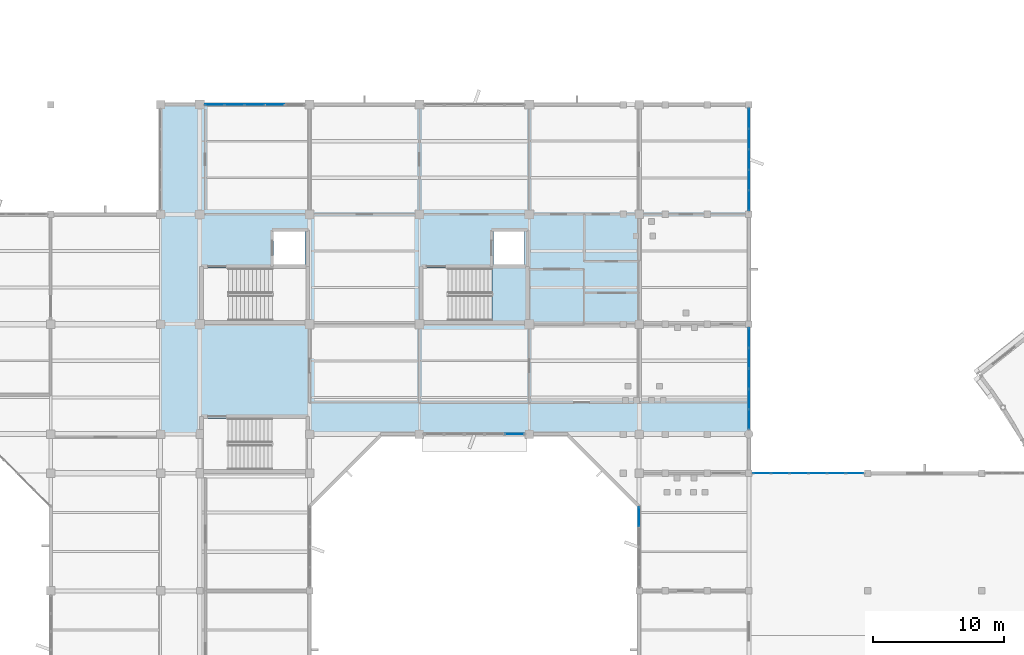
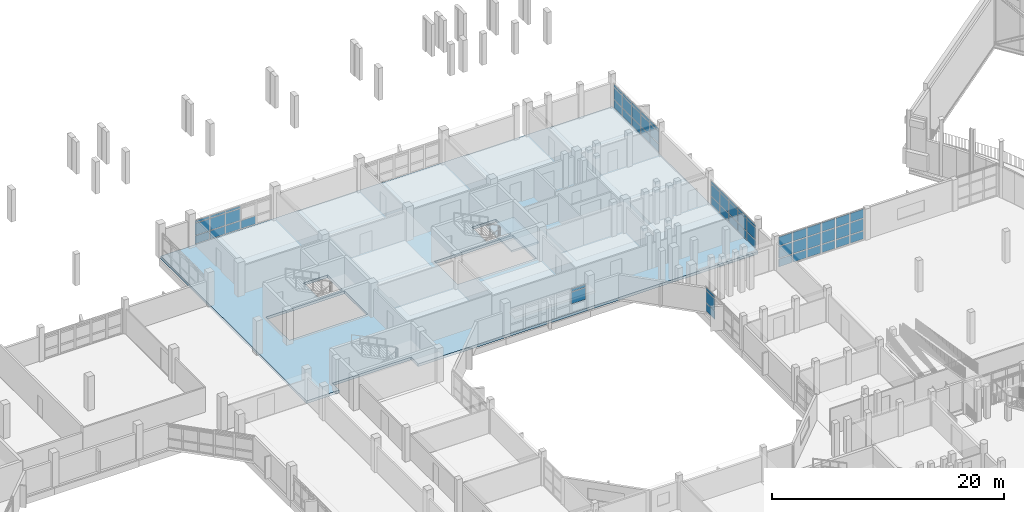
# One storey, part 62 of 104: 63 plates, 2 slabs, 7 elements without a shape of their own.
"""IFC4 building model written with IfcOpenShell, lengths in metres."""

from ifc_helpers import new_model, si_unit, direction, frame, origin, origin_2d, place, context, subcontext, project, spatial, polyline, rectangle, outline, extrude, material, layer, layer_set, type_object, element, aggregate, save


model = new_model("IFC4")

# Units and contexts
model_context = context("Model", 3, precision=1e-05, world=origin(), true_north=direction((0.0, 1.0)))
body_context = subcontext(model_context, "Body", "Model", "MODEL_VIEW")
ifc_project = project(units=[si_unit("LENGTHUNIT", "METRE"), si_unit("AREAUNIT", "SQUARE_METRE"), si_unit("VOLUMEUNIT", "CUBIC_METRE"), si_unit("PLANEANGLEUNIT", "RADIAN"), si_unit("MASSUNIT", "GRAM", prefix="KILO")], contexts=[model_context])

# Site, building, storey
site_placement = place(None, origin())
site = spatial("IfcSite", under=ifc_project, at=site_placement, CompositionType="ELEMENT")
building_placement = place(site_placement, origin())
building = spatial("IfcBuilding", under=site, at=building_placement, Name="Vanh Quang Courtyard School", CompositionType="ELEMENT")
storey_placement = place(building_placement, frame((0.0, 0.0, 4.199951171875)))
storey = spatial("IfcBuildingStorey", under=building, at=storey_placement, Name="L01", CompositionType="ELEMENT", Elevation=4.199951171875)

# Curtain wall, plates
ifc_material_1 = material(Name="Thermally broken aluminium unitised curtain wall", Category="aluminium")
curtain_wall_type_1 = type_object("IfcCurtainWallType", Name="CW-SYS-21", PredefinedType="NOTDEFINED", material=ifc_material_1)
curtain_wall_1_placement = place(storey_placement, origin())
curtain_wall_1 = element("IfcCurtainWall", 1, at=curtain_wall_1_placement, inside=storey, type_object=curtain_wall_type_1, Name="Curtain Wall CW-21 (L01)", PredefinedType="NOTDEFINED")
ifc_material_2 = material(Name="Low-E laminated double glazing", Category="glass")
ifc_layer_1 = layer(ifc_material_2, 0.028076171875)
ifc_layer_set_1 = layer_set([ifc_layer_1], Name="Low-E laminated double glazing")
plate_type_1 = type_object("IfcPlateType", Name="CW-PNL-28", PredefinedType="CURTAIN_PANEL", material=ifc_layer_set_1)
plate_1_placement = place(storey_placement, frame((78.5439453125, 96.60009765625, 0.06982421875), z_axis=(0.0, 0.0, 1.0), x_axis=(1.0, 0.0, 0.0)))
plate_1 = element("IfcPlate", 2, at=plate_1_placement, type_object=plate_type_1, Name="CW-21 panel 1.1", PredefinedType="CURTAIN_PANEL", context=body_context, shape_type="SweptSolid", body=[
    extrude(rectangle(XDim=1.431884765625, YDim=0.028076171875, at=origin_2d()), origin(), (0.0, 0.0, 1.0), 0.844970703125),
])
plate_2_placement = place(storey_placement, frame((78.5439453125, 96.60009765625, 0.985107421875), z_axis=(0.0, 0.0, 1.0), x_axis=(1.0, 0.0, 0.0)))
plate_2 = element("IfcPlate", 3, at=plate_2_placement, type_object=plate_type_1, Name="CW-21 panel 1.2", PredefinedType="CURTAIN_PANEL", context=body_context, shape_type="SweptSolid", body=[
    extrude(rectangle(XDim=1.431884765625, YDim=0.028076171875, at=origin_2d()), origin(), (0.0, 0.0, 1.0), 1.22998046875),
])
plate_3_placement = place(storey_placement, frame((78.5439453125, 96.60009765625, 2.28515625), z_axis=(0.0, 0.0, 1.0), x_axis=(1.0, 0.0, 0.0)))
plate_3 = element("IfcPlate", 4, at=plate_3_placement, type_object=plate_type_1, Name="CW-21 panel 1.3", PredefinedType="CURTAIN_PANEL", context=body_context, shape_type="SweptSolid", body=[
    extrude(rectangle(XDim=1.431884765625, YDim=0.028076171875, at=origin_2d()), origin(), (0.0, 0.0, 1.0), 0.215087890625),
])
plate_4_placement = place(storey_placement, frame((80.063232421875, 96.60009765625, 0.06982421875), z_axis=(0.0, 0.0, 1.0), x_axis=(1.0, 0.0, 0.0)))
plate_4 = element("IfcPlate", 5, at=plate_4_placement, type_object=plate_type_1, Name="CW-21 panel 2.1", PredefinedType="CURTAIN_PANEL", context=body_context, shape_type="SweptSolid", body=[
    extrude(rectangle(XDim=1.466796875, YDim=0.028076171875, at=origin_2d()), origin(), (0.0, 0.0, 1.0), 0.844970703125),
])
plate_5_placement = place(storey_placement, frame((80.063232421875, 96.60009765625, 0.985107421875), z_axis=(0.0, 0.0, 1.0), x_axis=(1.0, 0.0, 0.0)))
plate_5 = element("IfcPlate", 6, at=plate_5_placement, type_object=plate_type_1, Name="CW-21 panel 2.2", PredefinedType="CURTAIN_PANEL", context=body_context, shape_type="SweptSolid", body=[
    extrude(rectangle(XDim=1.466796875, YDim=0.028076171875, at=origin_2d()), origin(), (0.0, 0.0, 1.0), 1.22998046875),
])
plate_6_placement = place(storey_placement, frame((80.063232421875, 96.60009765625, 2.28515625), z_axis=(0.0, 0.0, 1.0), x_axis=(1.0, 0.0, 0.0)))
plate_6 = element("IfcPlate", 7, at=plate_6_placement, type_object=plate_type_1, Name="CW-21 panel 2.3", PredefinedType="CURTAIN_PANEL", context=body_context, shape_type="SweptSolid", body=[
    extrude(rectangle(XDim=1.466796875, YDim=0.028076171875, at=origin_2d()), origin(), (0.0, 0.0, 1.0), 0.215087890625),
])
plate_7_placement = place(storey_placement, frame((81.60009765625, 96.60009765625, 0.06982421875), z_axis=(0.0, 0.0, 1.0), x_axis=(1.0, 0.0, 0.0)))
plate_7 = element("IfcPlate", 8, at=plate_7_placement, type_object=plate_type_1, Name="CW-21 panel 3.1", PredefinedType="CURTAIN_PANEL", context=body_context, shape_type="SweptSolid", body=[
    extrude(rectangle(XDim=1.466796875, YDim=0.028076171875, at=origin_2d()), origin(), (0.0, 0.0, 1.0), 0.844970703125),
])
plate_8_placement = place(storey_placement, frame((81.60009765625, 96.60009765625, 0.985107421875), z_axis=(0.0, 0.0, 1.0), x_axis=(1.0, 0.0, 0.0)))
plate_8 = element("IfcPlate", 9, at=plate_8_placement, type_object=plate_type_1, Name="CW-21 panel 3.2", PredefinedType="CURTAIN_PANEL", context=body_context, shape_type="SweptSolid", body=[
    extrude(rectangle(XDim=1.466796875, YDim=0.028076171875, at=origin_2d()), origin(), (0.0, 0.0, 1.0), 1.22998046875),
])
plate_9_placement = place(storey_placement, frame((81.60009765625, 96.60009765625, 2.28515625), z_axis=(0.0, 0.0, 1.0), x_axis=(1.0, 0.0, 0.0)))
plate_9 = element("IfcPlate", 10, at=plate_9_placement, type_object=plate_type_1, Name="CW-21 panel 3.3", PredefinedType="CURTAIN_PANEL", context=body_context, shape_type="SweptSolid", body=[
    extrude(rectangle(XDim=1.466796875, YDim=0.028076171875, at=origin_2d()), origin(), (0.0, 0.0, 1.0), 0.215087890625),
])
plate_10_placement = place(storey_placement, frame((83.13671875, 96.60009765625, 0.06982421875), z_axis=(0.0, 0.0, 1.0), x_axis=(1.0, 0.0, 0.0)))
plate_10 = element("IfcPlate", 11, at=plate_10_placement, type_object=plate_type_1, Name="CW-21 panel 4.1", PredefinedType="CURTAIN_PANEL", context=body_context, shape_type="SweptSolid", body=[
    extrude(rectangle(XDim=1.466796875, YDim=0.028076171875, at=origin_2d()), origin(), (0.0, 0.0, 1.0), 0.844970703125),
])
aggregate(curtain_wall_1, [plate_1, plate_2, plate_3, plate_4, plate_5, plate_6, plate_7, plate_8, plate_9, plate_10])

curtain_wall_type_2 = type_object("IfcCurtainWallType", Name="CW-SYS-19", PredefinedType="NOTDEFINED", material=ifc_material_1)
curtain_wall_2_placement = place(storey_placement, origin())
curtain_wall_2 = element("IfcCurtainWall", 12, at=curtain_wall_2_placement, inside=storey, type_object=curtain_wall_type_2, Name="Curtain Wall CW-19 (L01)", PredefinedType="NOTDEFINED")
plate_11_placement = place(storey_placement, frame((119.39990234375, 95.53857421875, 0.06005859375), z_axis=(0.0, 0.0, 1.0), x_axis=(0.0, -1.0, 0.0)))
plate_11 = element("IfcPlate", 13, at=plate_11_placement, type_object=plate_type_1, Name="CW-19 panel 1.1", PredefinedType="CURTAIN_PANEL", context=body_context, shape_type="SweptSolid", body=[
    extrude(rectangle(XDim=1.48681640625, YDim=0.028076171875, at=origin_2d()), origin(), (0.0, 0.0, 1.0), 0.860107421875),
])
plate_12_placement = place(storey_placement, frame((119.39990234375, 95.53857421875, 0.97998046875), z_axis=(0.0, 0.0, 1.0), x_axis=(0.0, -1.0, 0.0)))
plate_12 = element("IfcPlate", 14, at=plate_12_placement, type_object=plate_type_1, Name="CW-19 panel 1.2", PredefinedType="CURTAIN_PANEL", context=body_context, shape_type="SweptSolid", body=[
    extrude(rectangle(XDim=1.48681640625, YDim=0.028076171875, at=origin_2d()), origin(), (0.0, 0.0, 1.0), 1.239990234375),
])
plate_13_placement = place(storey_placement, frame((119.39990234375, 95.53857421875, 2.2802734375), z_axis=(0.0, 0.0, 1.0), x_axis=(0.0, -1.0, 0.0)))
plate_13 = element("IfcPlate", 15, at=plate_13_placement, type_object=plate_type_1, Name="CW-19 panel 1.3", PredefinedType="CURTAIN_PANEL", context=body_context, shape_type="SweptSolid", body=[
    extrude(rectangle(XDim=1.48681640625, YDim=0.028076171875, at=origin_2d()), origin(), (0.0, 0.0, 1.0), 0.280029296875),
])
plate_14_placement = place(storey_placement, frame((119.39990234375, 93.976806640625, 0.06005859375), z_axis=(0.0, 0.0, 1.0), x_axis=(0.0, -1.0, 0.0)))
plate_14 = element("IfcPlate", 16, at=plate_14_placement, type_object=plate_type_1, Name="CW-19 panel 2.1", PredefinedType="CURTAIN_PANEL", context=body_context, shape_type="SweptSolid", body=[
    extrude(rectangle(XDim=1.516845703125, YDim=0.028076171875, at=origin_2d()), origin(), (0.0, 0.0, 1.0), 0.860107421875),
])
plate_15_placement = place(storey_placement, frame((119.39990234375, 93.976806640625, 0.97998046875), z_axis=(0.0, 0.0, 1.0), x_axis=(0.0, -1.0, 0.0)))
plate_15 = element("IfcPlate", 17, at=plate_15_placement, type_object=plate_type_1, Name="CW-19 panel 2.2", PredefinedType="CURTAIN_PANEL", context=body_context, shape_type="SweptSolid", body=[
    extrude(rectangle(XDim=1.516845703125, YDim=0.028076171875, at=origin_2d()), origin(), (0.0, 0.0, 1.0), 1.239990234375),
])
plate_16_placement = place(storey_placement, frame((119.39990234375, 93.976806640625, 2.2802734375), z_axis=(0.0, 0.0, 1.0), x_axis=(0.0, -1.0, 0.0)))
plate_16 = element("IfcPlate", 18, at=plate_16_placement, type_object=plate_type_1, Name="CW-19 panel 2.3", PredefinedType="CURTAIN_PANEL", context=body_context, shape_type="SweptSolid", body=[
    extrude(rectangle(XDim=1.516845703125, YDim=0.028076171875, at=origin_2d()), origin(), (0.0, 0.0, 1.0), 0.280029296875),
])
plate_17_placement = place(storey_placement, frame((119.39990234375, 92.39990234375, 0.06005859375), z_axis=(0.0, 0.0, 1.0), x_axis=(0.0, -1.0, 0.0)))
plate_17 = element("IfcPlate", 19, at=plate_17_placement, type_object=plate_type_1, Name="CW-19 panel 3.1", PredefinedType="CURTAIN_PANEL", context=body_context, shape_type="SweptSolid", body=[
    extrude(rectangle(XDim=1.516845703125, YDim=0.028076171875, at=origin_2d()), origin(), (0.0, 0.0, 1.0), 0.860107421875),
])
plate_18_placement = place(storey_placement, frame((119.39990234375, 92.39990234375, 0.97998046875), z_axis=(0.0, 0.0, 1.0), x_axis=(0.0, -1.0, 0.0)))
plate_18 = element("IfcPlate", 20, at=plate_18_placement, type_object=plate_type_1, Name="CW-19 panel 3.2", PredefinedType="CURTAIN_PANEL", context=body_context, shape_type="SweptSolid", body=[
    extrude(rectangle(XDim=1.516845703125, YDim=0.028076171875, at=origin_2d()), origin(), (0.0, 0.0, 1.0), 1.239990234375),
])
plate_19_placement = place(storey_placement, frame((119.39990234375, 92.39990234375, 2.2802734375), z_axis=(0.0, 0.0, 1.0), x_axis=(0.0, -1.0, 0.0)))
plate_19 = element("IfcPlate", 21, at=plate_19_placement, type_object=plate_type_1, Name="CW-19 panel 3.3", PredefinedType="CURTAIN_PANEL", context=body_context, shape_type="SweptSolid", body=[
    extrude(rectangle(XDim=1.516845703125, YDim=0.028076171875, at=origin_2d()), origin(), (0.0, 0.0, 1.0), 0.280029296875),
])
plate_20_placement = place(storey_placement, frame((119.39990234375, 90.8232421875, 0.06005859375), z_axis=(0.0, 0.0, 1.0), x_axis=(0.0, -1.0, 0.0)))
plate_20 = element("IfcPlate", 22, at=plate_20_placement, type_object=plate_type_1, Name="CW-19 panel 4.1", PredefinedType="CURTAIN_PANEL", context=body_context, shape_type="SweptSolid", body=[
    extrude(rectangle(XDim=1.516845703125, YDim=0.028076171875, at=origin_2d()), origin(), (0.0, 0.0, 1.0), 0.860107421875),
])
plate_21_placement = place(storey_placement, frame((119.39990234375, 90.8232421875, 0.97998046875), z_axis=(0.0, 0.0, 1.0), x_axis=(0.0, -1.0, 0.0)))
plate_21 = element("IfcPlate", 23, at=plate_21_placement, type_object=plate_type_1, Name="CW-19 panel 4.2", PredefinedType="CURTAIN_PANEL", context=body_context, shape_type="SweptSolid", body=[
    extrude(rectangle(XDim=1.516845703125, YDim=0.028076171875, at=origin_2d()), origin(), (0.0, 0.0, 1.0), 1.239990234375),
])
plate_22_placement = place(storey_placement, frame((119.39990234375, 90.8232421875, 2.2802734375), z_axis=(0.0, 0.0, 1.0), x_axis=(0.0, -1.0, 0.0)))
plate_22 = element("IfcPlate", 24, at=plate_22_placement, type_object=plate_type_1, Name="CW-19 panel 4.3", PredefinedType="CURTAIN_PANEL", context=body_context, shape_type="SweptSolid", body=[
    extrude(rectangle(XDim=1.516845703125, YDim=0.028076171875, at=origin_2d()), origin(), (0.0, 0.0, 1.0), 0.280029296875),
])
plate_23_placement = place(storey_placement, frame((119.39990234375, 89.261474609375, 0.06005859375), z_axis=(0.0, 0.0, 1.0), x_axis=(0.0, -1.0, 0.0)))
plate_23 = element("IfcPlate", 25, at=plate_23_placement, type_object=plate_type_1, Name="CW-19 panel 5.1", PredefinedType="CURTAIN_PANEL", context=body_context, shape_type="SweptSolid", body=[
    extrude(rectangle(XDim=1.48681640625, YDim=0.028076171875, at=origin_2d()), origin(), (0.0, 0.0, 1.0), 0.860107421875),
])
plate_24_placement = place(storey_placement, frame((119.39990234375, 89.261474609375, 0.97998046875), z_axis=(0.0, 0.0, 1.0), x_axis=(0.0, -1.0, 0.0)))
plate_24 = element("IfcPlate", 26, at=plate_24_placement, type_object=plate_type_1, Name="CW-19 panel 5.2", PredefinedType="CURTAIN_PANEL", context=body_context, shape_type="SweptSolid", body=[
    extrude(rectangle(XDim=1.48681640625, YDim=0.028076171875, at=origin_2d()), origin(), (0.0, 0.0, 1.0), 1.239990234375),
])
plate_25_placement = place(storey_placement, frame((119.39990234375, 89.261474609375, 2.2802734375), z_axis=(0.0, 0.0, 1.0), x_axis=(0.0, -1.0, 0.0)))
plate_25 = element("IfcPlate", 27, at=plate_25_placement, type_object=plate_type_1, Name="CW-19 panel 5.3", PredefinedType="CURTAIN_PANEL", context=body_context, shape_type="SweptSolid", body=[
    extrude(rectangle(XDim=1.48681640625, YDim=0.028076171875, at=origin_2d()), origin(), (0.0, 0.0, 1.0), 0.280029296875),
])
aggregate(curtain_wall_2, [plate_11, plate_12, plate_13, plate_14, plate_15, plate_16, plate_17, plate_18, plate_19, plate_20, plate_21, plate_22, plate_23, plate_24, plate_25])

curtain_wall_type_3 = type_object("IfcCurtainWallType", Name="CW-SYS-25", PredefinedType="NOTDEFINED", material=ifc_material_1)
curtain_wall_3_placement = place(storey_placement, origin())
curtain_wall_3 = element("IfcCurtainWall", 28, at=curtain_wall_3_placement, inside=storey, type_object=curtain_wall_type_3, Name="Curtain Wall CW-25 (L01)", PredefinedType="NOTDEFINED")
plate_26_placement = place(storey_placement, frame((120.393310546875, 68.39990234375, 0.080078125), z_axis=(0.0, 0.0, 1.0), x_axis=(1.0, 0.0, 0.0)))
plate_26 = element("IfcPlate", 29, at=plate_26_placement, type_object=plate_type_1, Name="CW-25 panel 1.1", PredefinedType="CURTAIN_PANEL", context=body_context, shape_type="SweptSolid", body=[
    extrude(rectangle(XDim=1.310546875, YDim=0.028076171875, at=origin_2d()), origin(), (0.0, 0.0, 1.0), 0.830078125),
])
plate_27_placement = place(storey_placement, frame((120.393310546875, 68.39990234375, 0.990234375), z_axis=(0.0, 0.0, 1.0), x_axis=(1.0, 0.0, 0.0)))
plate_27 = element("IfcPlate", 30, at=plate_27_placement, type_object=plate_type_1, Name="CW-25 panel 1.2", PredefinedType="CURTAIN_PANEL", context=body_context, shape_type="SweptSolid", body=[
    extrude(rectangle(XDim=1.310546875, YDim=0.028076171875, at=origin_2d()), origin(), (0.0, 0.0, 1.0), 1.219970703125),
])
plate_28_placement = place(storey_placement, frame((120.393310546875, 68.39990234375, 2.2900390625), z_axis=(0.0, 0.0, 1.0), x_axis=(1.0, 0.0, 0.0)))
plate_28 = element("IfcPlate", 31, at=plate_28_placement, type_object=plate_type_1, Name="CW-25 panel 1.3", PredefinedType="CURTAIN_PANEL", context=body_context, shape_type="SweptSolid", body=[
    extrude(rectangle(XDim=1.310546875, YDim=0.028076171875, at=origin_2d()), origin(), (0.0, 0.0, 1.0), 0.949951171875),
])
plate_29_placement = place(storey_placement, frame((121.803955078125, 68.39990234375, 0.080078125), z_axis=(0.0, 0.0, 1.0), x_axis=(1.0, 0.0, 0.0)))
plate_29 = element("IfcPlate", 32, at=plate_29_placement, type_object=plate_type_1, Name="CW-25 panel 2.1", PredefinedType="CURTAIN_PANEL", context=body_context, shape_type="SweptSolid", body=[
    extrude(rectangle(XDim=1.3505859375, YDim=0.028076171875, at=origin_2d()), origin(), (0.0, 0.0, 1.0), 0.830078125),
])
plate_30_placement = place(storey_placement, frame((121.803955078125, 68.39990234375, 0.990234375), z_axis=(0.0, 0.0, 1.0), x_axis=(1.0, 0.0, 0.0)))
plate_30 = element("IfcPlate", 33, at=plate_30_placement, type_object=plate_type_1, Name="CW-25 panel 2.2", PredefinedType="CURTAIN_PANEL", context=body_context, shape_type="SweptSolid", body=[
    extrude(rectangle(XDim=1.3505859375, YDim=0.028076171875, at=origin_2d()), origin(), (0.0, 0.0, 1.0), 1.219970703125),
])
plate_31_placement = place(storey_placement, frame((121.803955078125, 68.39990234375, 2.2900390625), z_axis=(0.0, 0.0, 1.0), x_axis=(1.0, 0.0, 0.0)))
plate_31 = element("IfcPlate", 34, at=plate_31_placement, type_object=plate_type_1, Name="CW-25 panel 2.3", PredefinedType="CURTAIN_PANEL", context=body_context, shape_type="SweptSolid", body=[
    extrude(rectangle(XDim=1.3505859375, YDim=0.028076171875, at=origin_2d()), origin(), (0.0, 0.0, 1.0), 0.949951171875),
])
plate_32_placement = place(storey_placement, frame((123.234619140625, 68.39990234375, 0.080078125), z_axis=(0.0, 0.0, 1.0), x_axis=(1.0, 0.0, 0.0)))
plate_32 = element("IfcPlate", 35, at=plate_32_placement, type_object=plate_type_1, Name="CW-25 panel 3.1", PredefinedType="CURTAIN_PANEL", context=body_context, shape_type="SweptSolid", body=[
    extrude(rectangle(XDim=1.3505859375, YDim=0.028076171875, at=origin_2d()), origin(), (0.0, 0.0, 1.0), 0.830078125),
])
plate_33_placement = place(storey_placement, frame((123.234619140625, 68.39990234375, 0.990234375), z_axis=(0.0, 0.0, 1.0), x_axis=(1.0, 0.0, 0.0)))
plate_33 = element("IfcPlate", 36, at=plate_33_placement, type_object=plate_type_1, Name="CW-25 panel 3.2", PredefinedType="CURTAIN_PANEL", context=body_context, shape_type="SweptSolid", body=[
    extrude(rectangle(XDim=1.3505859375, YDim=0.028076171875, at=origin_2d()), origin(), (0.0, 0.0, 1.0), 1.219970703125),
])
plate_34_placement = place(storey_placement, frame((123.234619140625, 68.39990234375, 2.2900390625), z_axis=(0.0, 0.0, 1.0), x_axis=(1.0, 0.0, 0.0)))
plate_34 = element("IfcPlate", 37, at=plate_34_placement, type_object=plate_type_1, Name="CW-25 panel 3.3", PredefinedType="CURTAIN_PANEL", context=body_context, shape_type="SweptSolid", body=[
    extrude(rectangle(XDim=1.3505859375, YDim=0.028076171875, at=origin_2d()), origin(), (0.0, 0.0, 1.0), 0.949951171875),
])
plate_35_placement = place(storey_placement, frame((124.665283203125, 68.39990234375, 0.080078125), z_axis=(0.0, 0.0, 1.0), x_axis=(1.0, 0.0, 0.0)))
plate_35 = element("IfcPlate", 38, at=plate_35_placement, type_object=plate_type_1, Name="CW-25 panel 4.1", PredefinedType="CURTAIN_PANEL", context=body_context, shape_type="SweptSolid", body=[
    extrude(rectangle(XDim=1.3505859375, YDim=0.028076171875, at=origin_2d()), origin(), (0.0, 0.0, 1.0), 0.830078125),
])
plate_36_placement = place(storey_placement, frame((124.665283203125, 68.39990234375, 0.990234375), z_axis=(0.0, 0.0, 1.0), x_axis=(1.0, 0.0, 0.0)))
plate_36 = element("IfcPlate", 39, at=plate_36_placement, type_object=plate_type_1, Name="CW-25 panel 4.2", PredefinedType="CURTAIN_PANEL", context=body_context, shape_type="SweptSolid", body=[
    extrude(rectangle(XDim=1.3505859375, YDim=0.028076171875, at=origin_2d()), origin(), (0.0, 0.0, 1.0), 1.219970703125),
])
plate_37_placement = place(storey_placement, frame((124.665283203125, 68.39990234375, 2.2900390625), z_axis=(0.0, 0.0, 1.0), x_axis=(1.0, 0.0, 0.0)))
plate_37 = element("IfcPlate", 40, at=plate_37_placement, type_object=plate_type_1, Name="CW-25 panel 4.3", PredefinedType="CURTAIN_PANEL", context=body_context, shape_type="SweptSolid", body=[
    extrude(rectangle(XDim=1.3505859375, YDim=0.028076171875, at=origin_2d()), origin(), (0.0, 0.0, 1.0), 0.949951171875),
])
plate_38_placement = place(storey_placement, frame((126.095947265625, 68.39990234375, 0.080078125), z_axis=(0.0, 0.0, 1.0), x_axis=(1.0, 0.0, 0.0)))
plate_38 = element("IfcPlate", 41, at=plate_38_placement, type_object=plate_type_1, Name="CW-25 panel 5.1", PredefinedType="CURTAIN_PANEL", context=body_context, shape_type="SweptSolid", body=[
    extrude(rectangle(XDim=1.3505859375, YDim=0.028076171875, at=origin_2d()), origin(), (0.0, 0.0, 1.0), 0.830078125),
])
plate_39_placement = place(storey_placement, frame((126.095947265625, 68.39990234375, 0.990234375), z_axis=(0.0, 0.0, 1.0), x_axis=(1.0, 0.0, 0.0)))
plate_39 = element("IfcPlate", 42, at=plate_39_placement, type_object=plate_type_1, Name="CW-25 panel 5.2", PredefinedType="CURTAIN_PANEL", context=body_context, shape_type="SweptSolid", body=[
    extrude(rectangle(XDim=1.3505859375, YDim=0.028076171875, at=origin_2d()), origin(), (0.0, 0.0, 1.0), 1.219970703125),
])
plate_40_placement = place(storey_placement, frame((126.095947265625, 68.39990234375, 2.2900390625), z_axis=(0.0, 0.0, 1.0), x_axis=(1.0, 0.0, 0.0)))
plate_40 = element("IfcPlate", 43, at=plate_40_placement, type_object=plate_type_1, Name="CW-25 panel 5.3", PredefinedType="CURTAIN_PANEL", context=body_context, shape_type="SweptSolid", body=[
    extrude(rectangle(XDim=1.3505859375, YDim=0.028076171875, at=origin_2d()), origin(), (0.0, 0.0, 1.0), 0.949951171875),
])
plate_41_placement = place(storey_placement, frame((127.506591796875, 68.39990234375, 0.080078125), z_axis=(0.0, 0.0, 1.0), x_axis=(1.0, 0.0, 0.0)))
plate_41 = element("IfcPlate", 44, at=plate_41_placement, type_object=plate_type_1, Name="CW-25 panel 6.1", PredefinedType="CURTAIN_PANEL", context=body_context, shape_type="SweptSolid", body=[
    extrude(rectangle(XDim=1.310546875, YDim=0.028076171875, at=origin_2d()), origin(), (0.0, 0.0, 1.0), 0.830078125),
])
plate_42_placement = place(storey_placement, frame((127.506591796875, 68.39990234375, 0.990234375), z_axis=(0.0, 0.0, 1.0), x_axis=(1.0, 0.0, 0.0)))
plate_42 = element("IfcPlate", 45, at=plate_42_placement, type_object=plate_type_1, Name="CW-25 panel 6.2", PredefinedType="CURTAIN_PANEL", context=body_context, shape_type="SweptSolid", body=[
    extrude(rectangle(XDim=1.310546875, YDim=0.028076171875, at=origin_2d()), origin(), (0.0, 0.0, 1.0), 1.219970703125),
])
plate_43_placement = place(storey_placement, frame((127.506591796875, 68.39990234375, 2.2900390625), z_axis=(0.0, 0.0, 1.0), x_axis=(1.0, 0.0, 0.0)))
plate_43 = element("IfcPlate", 46, at=plate_43_placement, type_object=plate_type_1, Name="CW-25 panel 6.3", PredefinedType="CURTAIN_PANEL", context=body_context, shape_type="SweptSolid", body=[
    extrude(rectangle(XDim=1.310546875, YDim=0.028076171875, at=origin_2d()), origin(), (0.0, 0.0, 1.0), 0.949951171875),
])
aggregate(curtain_wall_3, [plate_26, plate_27, plate_28, plate_29, plate_30, plate_31, plate_32, plate_33, plate_34, plate_35, plate_36, plate_37, plate_38, plate_39, plate_40, plate_41, plate_42, plate_43])

curtain_wall_4_placement = place(storey_placement, origin())
curtain_wall_4 = element("IfcCurtainWall", 47, at=curtain_wall_4_placement, inside=storey, type_object=curtain_wall_type_1, Name="Curtain Wall CW-21 (L01)", PredefinedType="NOTDEFINED")
plate_44_placement = place(storey_placement, frame((101.4736328125, 71.39990234375, 0.990234375), z_axis=(0.0, 0.0, 1.0), x_axis=(-1.0, 0.0, 0.0)))
plate_44 = element("IfcPlate", 48, at=plate_44_placement, type_object=plate_type_1, Name="CW-21 panel 1.2", PredefinedType="CURTAIN_PANEL", context=body_context, shape_type="SweptSolid", body=[
    extrude(rectangle(XDim=1.4267578125, YDim=0.028076171875, at=origin_2d()), origin(), (0.0, 0.0, 1.0), 1.219970703125),
])
plate_45_placement = place(storey_placement, frame((101.4736328125, 71.39990234375, 2.2900390625), z_axis=(0.0, 0.0, 1.0), x_axis=(-1.0, 0.0, 0.0)))
plate_45 = element("IfcPlate", 49, at=plate_45_placement, type_object=plate_type_1, Name="CW-21 panel 1.3", PredefinedType="CURTAIN_PANEL", context=body_context, shape_type="SweptSolid", body=[
    extrude(rectangle(XDim=1.4267578125, YDim=0.028076171875, at=origin_2d()), origin(), (0.0, 0.0, 1.0), 0.25),
])
aggregate(curtain_wall_4, [plate_44, plate_45])

curtain_wall_type_4 = type_object("IfcCurtainWallType", Name="CW-SYS-24", PredefinedType="NOTDEFINED", material=ifc_material_1)
curtain_wall_5_placement = place(storey_placement, origin())
curtain_wall_5 = element("IfcCurtainWall", 50, at=curtain_wall_5_placement, inside=storey, type_object=curtain_wall_type_4, Name="Curtain Wall CW-24 (L01)", PredefinedType="NOTDEFINED")
ifc_layer_2 = layer(ifc_material_2, 0.031982421875)
ifc_layer_set_2 = layer_set([ifc_layer_2], Name="Low-E laminated double glazing")
plate_type_2 = type_object("IfcPlateType", Name="CW-PNL-32", PredefinedType="CURTAIN_PANEL", material=ifc_layer_set_2)
plate_46_placement = place(storey_placement, frame((119.39990234375, 78.74365234375, 0.06982421875), z_axis=(0.0, 0.0, 1.0), x_axis=(0.0, -1.0, 0.0)))
plate_46 = element("IfcPlate", 51, at=plate_46_placement, type_object=plate_type_2, Name="CW-24 panel 1.1", PredefinedType="CURTAIN_PANEL", context=body_context, shape_type="SweptSolid", body=[
    extrude(rectangle(XDim=1.456787109375, YDim=0.031982421875, at=origin_2d()), origin(), (0.0, 0.0, 1.0), 0.844970703125),
])
plate_47_placement = place(storey_placement, frame((119.39990234375, 78.74365234375, 0.985107421875), z_axis=(0.0, 0.0, 1.0), x_axis=(0.0, -1.0, 0.0)))
plate_47 = element("IfcPlate", 52, at=plate_47_placement, type_object=plate_type_2, Name="CW-24 panel 1.2", PredefinedType="CURTAIN_PANEL", context=body_context, shape_type="SweptSolid", body=[
    extrude(rectangle(XDim=1.456787109375, YDim=0.031982421875, at=origin_2d()), origin(), (0.0, 0.0, 1.0), 1.22998046875),
])
plate_48_placement = place(storey_placement, frame((119.39990234375, 78.74365234375, 2.28515625), z_axis=(0.0, 0.0, 1.0), x_axis=(0.0, -1.0, 0.0)))
plate_48 = element("IfcPlate", 53, at=plate_48_placement, type_object=plate_type_2, Name="CW-24 panel 1.3", PredefinedType="CURTAIN_PANEL", context=body_context, shape_type="SweptSolid", body=[
    extrude(rectangle(XDim=1.456787109375, YDim=0.031982421875, at=origin_2d()), origin(), (0.0, 0.0, 1.0), 0.264892578125),
])
plate_49_placement = place(storey_placement, frame((119.39990234375, 77.19921875, 0.06982421875), z_axis=(0.0, 0.0, 1.0), x_axis=(0.0, -1.0, 0.0)))
plate_49 = element("IfcPlate", 54, at=plate_49_placement, type_object=plate_type_2, Name="CW-24 panel 2.1", PredefinedType="CURTAIN_PANEL", context=body_context, shape_type="SweptSolid", body=[
    extrude(rectangle(XDim=1.49169921875, YDim=0.031982421875, at=origin_2d()), origin(), (0.0, 0.0, 1.0), 0.844970703125),
])
plate_50_placement = place(storey_placement, frame((119.39990234375, 77.19921875, 0.985107421875), z_axis=(0.0, 0.0, 1.0), x_axis=(0.0, -1.0, 0.0)))
plate_50 = element("IfcPlate", 55, at=plate_50_placement, type_object=plate_type_2, Name="CW-24 panel 2.2", PredefinedType="CURTAIN_PANEL", context=body_context, shape_type="SweptSolid", body=[
    extrude(rectangle(XDim=1.49169921875, YDim=0.031982421875, at=origin_2d()), origin(), (0.0, 0.0, 1.0), 1.22998046875),
])
plate_51_placement = place(storey_placement, frame((119.39990234375, 77.19921875, 2.28515625), z_axis=(0.0, 0.0, 1.0), x_axis=(0.0, -1.0, 0.0)))
plate_51 = element("IfcPlate", 56, at=plate_51_placement, type_object=plate_type_2, Name="CW-24 panel 2.3", PredefinedType="CURTAIN_PANEL", context=body_context, shape_type="SweptSolid", body=[
    extrude(rectangle(XDim=1.49169921875, YDim=0.031982421875, at=origin_2d()), origin(), (0.0, 0.0, 1.0), 0.264892578125),
])
plate_52_placement = place(storey_placement, frame((119.39990234375, 75.637451171875, 0.06982421875), z_axis=(0.0, 0.0, 1.0), x_axis=(0.0, -1.0, 0.0)))
plate_52 = element("IfcPlate", 57, at=plate_52_placement, type_object=plate_type_2, Name="CW-24 panel 3.1", PredefinedType="CURTAIN_PANEL", context=body_context, shape_type="SweptSolid", body=[
    extrude(rectangle(XDim=1.49169921875, YDim=0.031982421875, at=origin_2d()), origin(), (0.0, 0.0, 1.0), 0.844970703125),
])
plate_53_placement = place(storey_placement, frame((119.39990234375, 75.637451171875, 0.985107421875), z_axis=(0.0, 0.0, 1.0), x_axis=(0.0, -1.0, 0.0)))
plate_53 = element("IfcPlate", 58, at=plate_53_placement, type_object=plate_type_2, Name="CW-24 panel 3.2", PredefinedType="CURTAIN_PANEL", context=body_context, shape_type="SweptSolid", body=[
    extrude(rectangle(XDim=1.49169921875, YDim=0.031982421875, at=origin_2d()), origin(), (0.0, 0.0, 1.0), 1.22998046875),
])
plate_54_placement = place(storey_placement, frame((119.39990234375, 75.637451171875, 2.28515625), z_axis=(0.0, 0.0, 1.0), x_axis=(0.0, -1.0, 0.0)))
plate_54 = element("IfcPlate", 59, at=plate_54_placement, type_object=plate_type_2, Name="CW-24 panel 3.3", PredefinedType="CURTAIN_PANEL", context=body_context, shape_type="SweptSolid", body=[
    extrude(rectangle(XDim=1.49169921875, YDim=0.031982421875, at=origin_2d()), origin(), (0.0, 0.0, 1.0), 0.264892578125),
])
plate_55_placement = place(storey_placement, frame((119.39990234375, 74.07568359375, 0.06982421875), z_axis=(0.0, 0.0, 1.0), x_axis=(0.0, -1.0, 0.0)))
plate_55 = element("IfcPlate", 60, at=plate_55_placement, type_object=plate_type_2, Name="CW-24 panel 4.1", PredefinedType="CURTAIN_PANEL", context=body_context, shape_type="SweptSolid", body=[
    extrude(rectangle(XDim=1.49169921875, YDim=0.031982421875, at=origin_2d()), origin(), (0.0, 0.0, 1.0), 0.844970703125),
])
plate_56_placement = place(storey_placement, frame((119.39990234375, 74.07568359375, 0.985107421875), z_axis=(0.0, 0.0, 1.0), x_axis=(0.0, -1.0, 0.0)))
plate_56 = element("IfcPlate", 61, at=plate_56_placement, type_object=plate_type_2, Name="CW-24 panel 4.2", PredefinedType="CURTAIN_PANEL", context=body_context, shape_type="SweptSolid", body=[
    extrude(rectangle(XDim=1.49169921875, YDim=0.031982421875, at=origin_2d()), origin(), (0.0, 0.0, 1.0), 1.22998046875),
])
plate_57_placement = place(storey_placement, frame((119.39990234375, 74.07568359375, 2.28515625), z_axis=(0.0, 0.0, 1.0), x_axis=(0.0, -1.0, 0.0)))
plate_57 = element("IfcPlate", 62, at=plate_57_placement, type_object=plate_type_2, Name="CW-24 panel 4.3", PredefinedType="CURTAIN_PANEL", context=body_context, shape_type="SweptSolid", body=[
    extrude(rectangle(XDim=1.49169921875, YDim=0.031982421875, at=origin_2d()), origin(), (0.0, 0.0, 1.0), 0.264892578125),
])
plate_58_placement = place(storey_placement, frame((119.39990234375, 72.531494140625, 0.06982421875), z_axis=(0.0, 0.0, 1.0), x_axis=(0.0, -1.0, 0.0)))
plate_58 = element("IfcPlate", 63, at=plate_58_placement, type_object=plate_type_2, Name="CW-24 panel 5.1", PredefinedType="CURTAIN_PANEL", context=body_context, shape_type="SweptSolid", body=[
    extrude(rectangle(XDim=1.456787109375, YDim=0.031982421875, at=origin_2d()), origin(), (0.0, 0.0, 1.0), 0.844970703125),
])
plate_59_placement = place(storey_placement, frame((119.39990234375, 72.531494140625, 0.985107421875), z_axis=(0.0, 0.0, 1.0), x_axis=(0.0, -1.0, 0.0)))
plate_59 = element("IfcPlate", 64, at=plate_59_placement, type_object=plate_type_2, Name="CW-24 panel 5.2", PredefinedType="CURTAIN_PANEL", context=body_context, shape_type="SweptSolid", body=[
    extrude(rectangle(XDim=1.456787109375, YDim=0.031982421875, at=origin_2d()), origin(), (0.0, 0.0, 1.0), 1.22998046875),
])
plate_60_placement = place(storey_placement, frame((119.39990234375, 72.531494140625, 2.28515625), z_axis=(0.0, 0.0, 1.0), x_axis=(0.0, -1.0, 0.0)))
plate_60 = element("IfcPlate", 65, at=plate_60_placement, type_object=plate_type_2, Name="CW-24 panel 5.3", PredefinedType="CURTAIN_PANEL", context=body_context, shape_type="SweptSolid", body=[
    extrude(rectangle(XDim=1.456787109375, YDim=0.031982421875, at=origin_2d()), origin(), (0.0, 0.0, 1.0), 0.264892578125),
])
aggregate(curtain_wall_5, [plate_46, plate_47, plate_48, plate_49, plate_50, plate_51, plate_52, plate_53, plate_54, plate_55, plate_56, plate_57, plate_58, plate_59, plate_60])

curtain_wall_type_5 = type_object("IfcCurtainWallType", Name="CW-SYS-44", PredefinedType="NOTDEFINED", material=ifc_material_1)
curtain_wall_6_placement = place(storey_placement, origin())
curtain_wall_6 = element("IfcCurtainWall", 66, at=curtain_wall_6_placement, inside=storey, type_object=curtain_wall_type_5, Name="Curtain Wall CW-44 (L01)", PredefinedType="NOTDEFINED")
plate_61_placement = place(storey_placement, frame((111.0, 65.063720703125, 0.06982421875), z_axis=(0.0, 0.0, 1.0), x_axis=(0.0, 1.0, 0.0)))
plate_61 = element("IfcPlate", 67, at=plate_61_placement, type_object=plate_type_2, Name="CW-44 panel 4.1", PredefinedType="CURTAIN_PANEL", context=body_context, shape_type="SweptSolid", body=[
    extrude(rectangle(XDim=1.444580078125, YDim=0.031982421875, at=origin_2d()), origin(), (0.0, 0.0, 1.0), 0.844970703125),
])
plate_62_placement = place(storey_placement, frame((111.0, 65.063720703125, 0.985107421875), z_axis=(0.0, 0.0, 1.0), x_axis=(0.0, 1.0, 0.0)))
plate_62 = element("IfcPlate", 68, at=plate_62_placement, type_object=plate_type_2, Name="CW-44 panel 4.2", PredefinedType="CURTAIN_PANEL", context=body_context, shape_type="SweptSolid", body=[
    extrude(rectangle(XDim=1.444580078125, YDim=0.031982421875, at=origin_2d()), origin(), (0.0, 0.0, 1.0), 1.22998046875),
])
plate_63_placement = place(storey_placement, frame((111.0, 65.063720703125, 2.28515625), z_axis=(0.0, 0.0, 1.0), x_axis=(0.0, 1.0, 0.0)))
plate_63 = element("IfcPlate", 69, at=plate_63_placement, type_object=plate_type_2, Name="CW-44 panel 4.3", PredefinedType="CURTAIN_PANEL", context=body_context, shape_type="SweptSolid", body=[
    extrude(rectangle(XDim=1.444580078125, YDim=0.031982421875, at=origin_2d()), origin(), (0.0, 0.0, 1.0), 0.264892578125),
])
aggregate(curtain_wall_6, [plate_61, plate_62, plate_63])

# Slab
ifc_material_3 = material(Name="Concrete C30/37", Category="concrete")
ifc_layer_3 = layer(ifc_material_3, 0.280029296875)
ifc_layer_set_3 = layer_set([ifc_layer_3], Name="Concrete C30/37")
slab_type_1 = type_object("IfcSlabType", Name="SLB-FLR-280", PredefinedType="FLOOR", material=ifc_layer_set_3)
slab_1_placement = place(storey_placement, frame((0.0, 0.0, -0.280029296875)))
element("IfcSlab", 70, at=slab_1_placement, inside=storey, type_object=slab_type_1, Name="Slab SF-02 (L01)", PredefinedType="FLOOR", context=body_context, shape_type="SweptSolid", body=[
    extrude(outline(polyline([(77.679931640625, 71.39990234375), (77.679931640625, 72.60009765625), (85.52001953125, 72.60009765625), (85.52001953125, 71.39990234375), (119.39990234375, 71.39990234375), (119.39990234375, 96.60009765625), (74.39990234375, 96.60009765625), (74.39990234375, 71.39990234375), (77.679931640625, 71.39990234375)]), holes=[polyline([(85.52001953125, 84.080078125), (85.52001953125, 80.080078125), (77.679931640625, 80.080078125), (77.679931640625, 84.080078125), (85.52001953125, 84.080078125)]), polyline([(85.449951171875, 84.360107421875), (83.050048828125, 84.360107421875), (83.050048828125, 86.909912109375), (85.449951171875, 86.909912109375), (85.449951171875, 84.360107421875)]), polyline([(102.320068359375, 80.080078125), (94.47998046875, 80.080078125), (94.47998046875, 84.080078125), (102.320068359375, 84.080078125), (102.320068359375, 80.080078125)]), polyline([(102.25, 84.360107421875), (99.85009765625, 84.360107421875), (99.85009765625, 86.909912109375), (102.25, 86.909912109375), (102.25, 84.360107421875)])]), origin(), (0.0, 0.0, 1.0), 0.280029296875),
])

# Stair, slab
stair_type = type_object("IfcStairType", Name="STR-CORE-1920", PredefinedType="HALF_TURN_STAIR", material=ifc_material_3)
stair_placement = place(storey_placement, origin())
stair = element("IfcStair", 71, at=stair_placement, inside=storey, type_object=stair_type, Name="L01 ST-02", PredefinedType="HALF_TURN_STAIR")
ifc_layer_4 = layer(ifc_material_3, 0.199951171875)
ifc_layer_set_4 = layer_set([ifc_layer_4], Name="Concrete C30/37")
slab_type_2 = type_object("IfcSlabType", Name="SLB-LND-200", PredefinedType="LANDING", material=ifc_layer_set_4)
slab_2_placement = place(storey_placement, frame((0.0, 0.0, 1.60009765625)))
slab_2 = element("IfcSlab", 72, at=slab_2_placement, type_object=slab_type_2, Name="ST-02 landing 1", PredefinedType="LANDING", context=body_context, shape_type="SweptSolid", body=[
    extrude(outline(polyline([(99.7548828125, 79.919921875), (102.47998046875, 79.919921875), (102.47998046875, 84.239990234375), (99.7548828125, 84.239990234375), (99.7548828125, 79.919921875)])), origin(), (0.0, 0.0, 1.0), 0.199951171875),
])
aggregate(stair, [slab_2])

save(model, "model.ifc")
